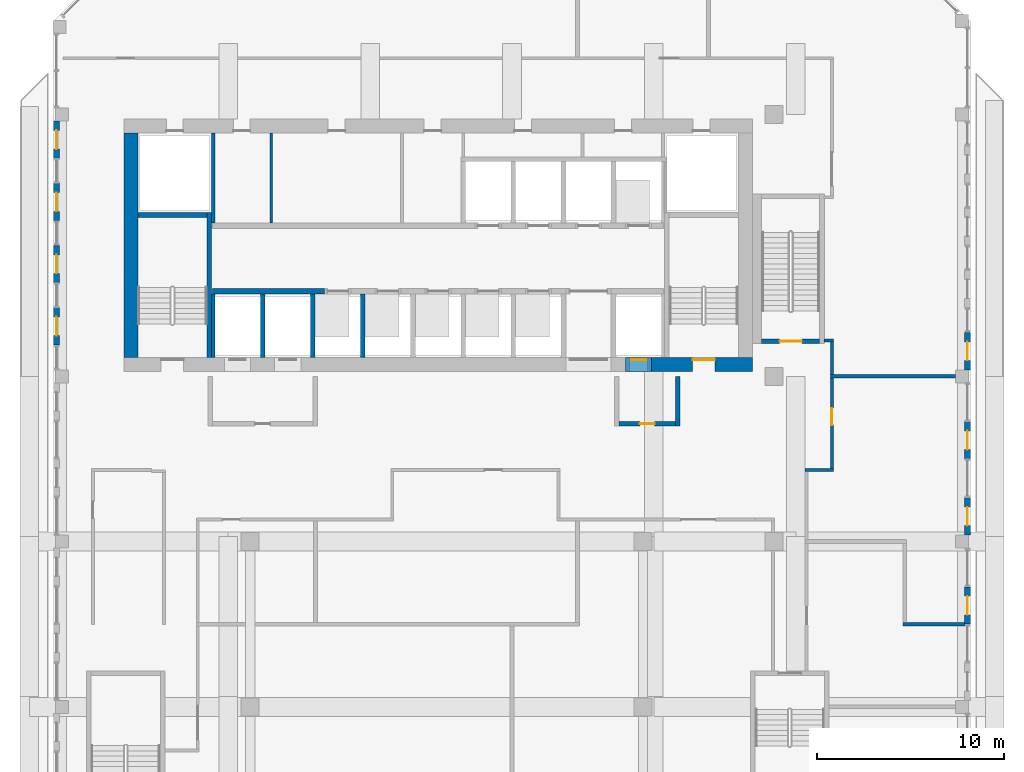
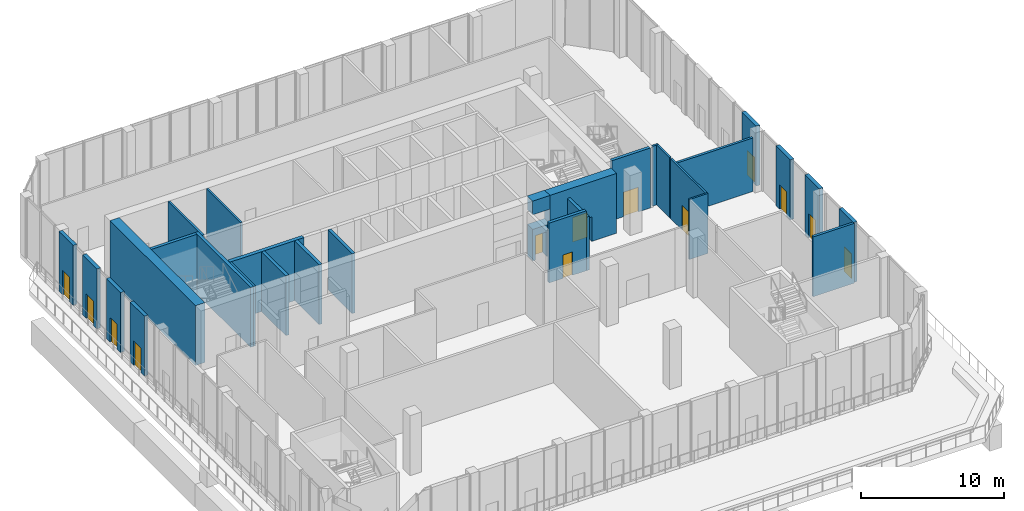
# One storey, part 11 of 18: 30 walls, 13 doors, 13 openings.
"""IFC4 building model written with IfcOpenShell, lengths in metres."""

from ifc_helpers import new_model, si_unit, direction, frame, frame_2d, origin, place, context, subcontext, project, spatial, rectangle, extrude, source, transform, mapped, material, layer, layer_set, type_object, element, fill, save


model = new_model("IFC4")

# Units and contexts
model_context = context("Model", 3, precision=1e-05, world=origin(), true_north=direction((0.0, 1.0)))
body_context = subcontext(model_context, "Body", "Model", "MODEL_VIEW")
ifc_project = project(units=[si_unit("LENGTHUNIT", "METRE"), si_unit("AREAUNIT", "SQUARE_METRE"), si_unit("VOLUMEUNIT", "CUBIC_METRE"), si_unit("PLANEANGLEUNIT", "RADIAN"), si_unit("MASSUNIT", "GRAM", prefix="KILO")], contexts=[model_context])

# Site, building, storey
site_placement = place(None, origin())
site = spatial("IfcSite", under=ifc_project, at=site_placement, CompositionType="ELEMENT")
building_placement = place(site_placement, origin())
building = spatial("IfcBuilding", under=site, at=building_placement, Name="Kilnfold Tower and Market Hall", CompositionType="ELEMENT")
storey_placement = place(building_placement, frame((0.0, 0.0, 233.60009765625)))
storey = spatial("IfcBuildingStorey", under=building, at=storey_placement, Name="L56", CompositionType="ELEMENT", Elevation=233.60009765625)

# Wall, opening, door
ifc_material_1 = material(Name="Gypsum board on steel studs", Category="steel")
ifc_layer_1 = layer(ifc_material_1, 0.14990234375)
ifc_layer_set_1 = layer_set([ifc_layer_1], Name="Gypsum board on steel studs")
wall_type_1 = type_object("IfcWallType", Name="WALL CORRIDOR 150", PredefinedType="PARTITIONING", material=ifc_layer_set_1)
wall_1_placement = place(storey_placement, frame((22.10009765625, 3.074951171875, 0.0), z_axis=(0.0, 0.0, 1.0), x_axis=(0.0, 1.0, 0.0)))
wall_1 = element("IfcWall", 1, at=wall_1_placement, inside=storey, type_object=wall_type_1, Name="Partition LY34.18", PredefinedType="PARTITIONING", context=body_context, shape_type="SweptSolid", body=[
    extrude(rectangle(XDim=4.8349609375, YDim=0.14990234375, at=frame_2d((2.41748046875, 0.0))), origin(), (0.0, 0.0, 1.0), 5.119873046875),
])
opening_1_placement = place(wall_1_placement, frame((2.321044921875, 0.0, 0.0)))
opening_1 = element("IfcOpeningElement", 2, at=opening_1_placement, cuts=wall_1, Name="Opening D2", PredefinedType="OPENING", context=body_context, shape_type="SweptSolid", body=[
    extrude(rectangle(XDim=0.89990234375, YDim=2.10009765625, at=frame_2d((0.449951171875, 1.050048828125))), frame((0.0, 0.0849609375, 0.0), z_axis=(0.0, -1.0, 0.0), x_axis=(1.0, 0.0, 0.0)), (0.0, 0.0, 1.0), 0.169921875),
])
ifc_material_2 = material(Name="Timber veneer door leaf in steel frame", Category="steel")
door_type_1 = type_object("IfcDoorType", Name="DOOR ROOM 900 X2100", OperationType="NOTDEFINED", PredefinedType="DOOR", material=ifc_material_2)
door_1_placement = place(opening_1_placement, origin())
door_1 = element("IfcDoor", 3, at=door_1_placement, inside=storey, type_object=door_type_1, Name="Door D2", OperationType="SINGLE_SWING_RIGHT", OverallHeight=2.10009765625, OverallWidth=0.89990234375, PredefinedType="DOOR", context=body_context, shape_type="SweptSolid", body=[
    extrude(rectangle(XDim=0.89990234375, YDim=2.10009765625, at=frame_2d((0.449951171875, 1.050048828125))), frame((0.0, 0.02490234375, 0.0), z_axis=(0.0, -1.0, 0.0), x_axis=(1.0, 0.0, 0.0)), (0.0, 0.0, 1.0), 0.050048828125),
])
fill(opening_1, door_1)

# Walls
wall_2_placement = place(storey_placement, frame((20.675048828125, 3.0, 0.0), z_axis=(0.0, 0.0, 1.0), x_axis=(1.0, 0.0, 0.0)))
element("IfcWall", 4, at=wall_2_placement, inside=storey, type_object=wall_type_1, Name="Partition LY34.19", PredefinedType="PARTITIONING", context=body_context, shape_type="SweptSolid", body=[
    extrude(rectangle(XDim=1.5, YDim=0.14990234375, at=frame_2d((0.75, 0.0))), origin(), (0.0, 0.0, 1.0), 5.119873046875),
])
wall_3_placement = place(storey_placement, frame((22.175048828125, 9.925048828125, 0.0), z_axis=(0.0, 0.0, 1.0), x_axis=(-1.0, 0.0, 0.0)))
element("IfcWall", 5, at=wall_3_placement, inside=storey, type_object=wall_type_1, Name="Partition LY34.23", PredefinedType="PARTITIONING", context=body_context, shape_type="SweptSolid", body=[
    extrude(rectangle(XDim=0.4951171875, YDim=0.14990234375, at=frame_2d((0.24755859375, 0.0))), origin(), (0.0, 0.0, 1.0), 5.119873046875),
])
wall_4_placement = place(storey_placement, frame((22.10009765625, 8.090087890625, 0.0), z_axis=(0.0, 0.0, 1.0), x_axis=(0.0, 1.0, 0.0)))
element("IfcWall", 6, at=wall_4_placement, inside=storey, type_object=wall_type_1, Name="Partition LY34.24", PredefinedType="PARTITIONING", context=body_context, shape_type="SweptSolid", body=[
    extrude(rectangle(XDim=1.760009765625, YDim=0.14990234375, at=frame_2d((0.8798828125, 0.0))), origin(), (0.0, 0.0, 1.0), 5.119873046875),
])
ifc_material_3 = material(Name="Gypsum board on steel studs", Category="steel")
ifc_layer_2 = layer(ifc_material_3, 0.199951171875)
ifc_layer_set_2 = layer_set([ifc_layer_2], Name="Gypsum board on steel studs")
wall_type_2 = type_object("IfcWallType", Name="WALL PARTY 200", PredefinedType="PARTITIONING", material=ifc_layer_set_2)
wall_5_placement = place(storey_placement, frame((25.89990234375, -5.25, 0.0), z_axis=(0.0, 0.0, 1.0), x_axis=(1.0, 0.0, 0.0)))
element("IfcWall", 7, at=wall_5_placement, inside=storey, type_object=wall_type_2, Name="Partition LY34.33", PredefinedType="PARTITIONING", context=body_context, shape_type="SweptSolid", body=[
    extrude(rectangle(XDim=3.35009765625, YDim=0.199951171875, at=frame_2d((1.675048828125, 0.0))), origin(), (0.0, 0.0, 1.0), 5.119873046875),
])
wall_6_placement = place(storey_placement, frame((28.699951171875, 8.0, 0.0), z_axis=(0.0, 0.0, 1.0), x_axis=(-1.0, 0.0, 0.0)))
element("IfcWall", 8, at=wall_6_placement, inside=storey, type_object=wall_type_2, Name="Partition LY34.34", PredefinedType="PARTITIONING", context=body_context, shape_type="SweptSolid", body=[
    extrude(rectangle(XDim=6.6728515625, YDim=0.199951171875, at=frame_2d((3.33642578125, 0.0))), origin(), (0.0, 0.0, 1.0), 4.56982421875),
])

# Wall, opening, door
ifc_material_4 = material(Name="Concrete C60", Category="concrete")
ifc_layer_3 = layer(ifc_material_4, 0.75)
ifc_layer_set_3 = layer_set([ifc_layer_3], Name="Concrete C60")
wall_type_3 = type_object("IfcWallType", Name="CORE WALL 750 C60", PredefinedType="SHEAR", material=ifc_layer_set_3)
shared_shape_1 = source(origin(), body_context, "Body", "SweptSolid", [
    extrude(rectangle(XDim=5.380126953125, YDim=0.75, at=frame_2d((2.68994140625, 0.0))), origin(), (0.0, 0.0, 1.0), 5.119873046875),
])
wall_7_placement = place(storey_placement, frame((12.469970703125, 8.625, 0.0), z_axis=(0.0, 0.0, 1.0), x_axis=(1.0, 0.0, 0.0)))
wall_7 = element("IfcWall", 9, at=wall_7_placement, inside=storey, type_object=wall_type_3, Name="Core outer wall south", PredefinedType="SHEAR", context=body_context, shape_type="MappedRepresentation", body=[
    mapped(shared_shape_1, transform((0.0, 0.0, 0.0))),
])
opening_2_placement = place(wall_7_placement, frame((2.179931640625, 0.0, 0.0)))
opening_2 = element("IfcOpeningElement", 10, at=opening_2_placement, cuts=wall_7, Name="Opening SD1", PredefinedType="OPENING", context=body_context, shape_type="SweptSolid", body=[
    extrude(rectangle(XDim=1.199951171875, YDim=2.10009765625, at=frame_2d((0.60009765625, 1.050048828125))), frame((0.0, 0.385009765625, 0.0), z_axis=(0.0, -1.0, 0.0), x_axis=(1.0, 0.0, 0.0)), (0.0, 0.0, 1.0), 0.77001953125),
])
ifc_material_5 = material(Name="Steel door set with fire-resisting leaf", Category="steel")
door_type_2 = type_object("IfcDoorType", Name="STAIR FLOOR DOOR 1200X2100", OperationType="NOTDEFINED", PredefinedType="DOOR", material=ifc_material_5)
door_2_placement = place(opening_2_placement, origin())
door_2 = element("IfcDoor", 11, at=door_2_placement, inside=storey, type_object=door_type_2, Name="Exit stair ST2 door", OperationType="DOUBLE_DOOR_SINGLE_SWING", OverallHeight=2.10009765625, OverallWidth=1.199951171875, PredefinedType="DOOR", context=body_context, shape_type="SweptSolid", body=[
    extrude(rectangle(XDim=1.199951171875, YDim=2.10009765625, at=frame_2d((0.60009765625, 1.050048828125))), frame((0.0, 0.27978515625, 0.0), z_axis=(0.0, -1.0, 0.0), x_axis=(1.0, 0.0, 0.0)), (0.0, 0.0, 1.0), 0.050048828125),
])
fill(opening_2, door_2)

# Walls
shared_shape_2 = source(origin(), body_context, "Body", "SweptSolid", [
    extrude(rectangle(XDim=12.0, YDim=0.75, at=frame_2d((6.0, 0.0))), origin(), (0.0, 0.0, 1.0), 5.119873046875),
])
wall_8_placement = place(storey_placement, frame((-15.375, 9.0, 0.0), z_axis=(0.0, 0.0, 1.0), x_axis=(0.0, 1.0, 0.0)))
element("IfcWall", 12, at=wall_8_placement, inside=storey, type_object=wall_type_3, Name="Core outer wall west", PredefinedType="SHEAR", context=body_context, shape_type="MappedRepresentation", body=[
    mapped(shared_shape_2, transform((0.0, 0.0, 0.0))),
])
ifc_material_6 = material(Name="Concrete C60", Category="concrete")
ifc_layer_4 = layer(ifc_material_6, 0.25)
ifc_layer_set_4 = layer_set([ifc_layer_4], Name="Concrete C60")
wall_type_4 = type_object("IfcWallType", Name="CORE WALL 250 C60", PredefinedType="SHEAR", material=ifc_layer_set_4)
shared_shape_3 = source(origin(), body_context, "Body", "SweptSolid", [
    extrude(rectangle(XDim=7.75, YDim=0.25, at=frame_2d((3.875, 0.0))), origin(), (0.0, 0.0, 1.0), 5.119873046875),
])
wall_9_placement = place(storey_placement, frame((-11.175048828125, 9.0, 0.0), z_axis=(0.0, 0.0, 1.0), x_axis=(0.0, 1.0, 0.0)))
element("IfcWall", 13, at=wall_9_placement, inside=storey, type_object=wall_type_4, Name="Stair enclosure ST1", PredefinedType="SHEAR", context=body_context, shape_type="MappedRepresentation", body=[
    mapped(shared_shape_3, transform((0.0, 0.0, 0.0))),
])
shared_shape_4 = source(origin(), body_context, "Body", "SweptSolid", [
    extrude(rectangle(XDim=3.699951171875, YDim=0.25, at=frame_2d((1.85009765625, 0.0))), origin(), (0.0, 0.0, 1.0), 5.119873046875),
])
wall_10_placement = place(storey_placement, frame((-15.0, 16.625, 0.0), z_axis=(0.0, 0.0, 1.0), x_axis=(1.0, 0.0, 0.0)))
element("IfcWall", 14, at=wall_10_placement, inside=storey, type_object=wall_type_4, Name="Stair enclosure ST1", PredefinedType="SHEAR", context=body_context, shape_type="MappedRepresentation", body=[
    mapped(shared_shape_4, transform((0.0, 0.0, 0.0))),
])

# Wall, opening, door
shared_shape_5 = source(origin(), body_context, "Body", "SweptSolid", [
    extrude(rectangle(XDim=3.099853515625, YDim=0.25, at=frame_2d((1.5498046875, 0.0))), origin(), (0.0, 0.0, 1.0), 5.119873046875),
])
wall_11_placement = place(storey_placement, frame((18.35009765625, 9.875, 0.0), z_axis=(0.0, 0.0, 1.0), x_axis=(1.0, 0.0, 0.0)))
wall_11 = element("IfcWall", 15, at=wall_11_placement, inside=storey, type_object=wall_type_4, Name="Stair enclosure ST5", PredefinedType="SHEAR", context=body_context, shape_type="MappedRepresentation", body=[
    mapped(shared_shape_5, transform((0.0, 0.0, 0.0))),
])
opening_3_placement = place(wall_11_placement, frame((0.949951171875, 0.0, 0.0)))
opening_3 = element("IfcOpeningElement", 16, at=opening_3_placement, cuts=wall_11, Name="Opening SD1", PredefinedType="OPENING", context=body_context, shape_type="SweptSolid", body=[
    extrude(rectangle(XDim=1.199951171875, YDim=2.10009765625, at=frame_2d((0.60009765625, 1.050048828125))), frame((0.0, 0.135009765625, 0.0), z_axis=(0.0, -1.0, 0.0), x_axis=(1.0, 0.0, 0.0)), (0.0, 0.0, 1.0), 0.27001953125),
])
door_3_placement = place(opening_3_placement, origin())
door_3 = element("IfcDoor", 17, at=door_3_placement, inside=storey, type_object=door_type_2, Name="Exit stair ST5 door", OperationType="DOUBLE_DOOR_SINGLE_SWING", OverallHeight=2.10009765625, OverallWidth=1.199951171875, PredefinedType="DOOR", context=body_context, shape_type="SweptSolid", body=[
    extrude(rectangle(XDim=1.199951171875, YDim=2.10009765625, at=frame_2d((0.60009765625, 1.050048828125))), frame((0.0, 0.02490234375, 0.0), z_axis=(0.0, -1.0, 0.0), x_axis=(1.0, 0.0, 0.0)), (0.0, 0.0, 1.0), 0.050048828125),
])
fill(opening_3, door_3)

# Walls
ifc_material_7 = material(Name="Concrete C60", Category="concrete")
ifc_layer_5 = layer(ifc_material_7, 0.300048828125)
ifc_layer_set_5 = layer_set([ifc_layer_5], Name="Concrete C60")
wall_type_5 = type_object("IfcWallType", Name="CORE WALL 300 C60", PredefinedType="SHEAR", material=ifc_layer_set_5)
shared_shape_6 = source(origin(), body_context, "Body", "SweptSolid", [
    extrude(rectangle(XDim=6.0, YDim=0.300048828125, at=frame_2d((3.0, 0.0))), origin(), (0.0, 0.0, 1.0), 5.119873046875),
])
wall_12_placement = place(storey_placement, frame((-11.010009765625, 12.550048828125, 0.0), z_axis=(0.0, 0.0, 1.0), x_axis=(1.0, 0.0, 0.0)))
element("IfcWall", 18, at=wall_12_placement, inside=storey, type_object=wall_type_5, Name="Core spine wall", PredefinedType="SHEAR", context=body_context, shape_type="MappedRepresentation", body=[
    mapped(shared_shape_6, transform((0.0, 0.0, 0.0))),
])
shared_shape_7 = source(origin(), body_context, "Body", "SweptSolid", [
    extrude(rectangle(XDim=1.39990234375, YDim=0.75, at=frame_2d((0.699951171875, 0.0))), origin(), (0.0, 0.0, 1.0), 1.169921875),
])
wall_13_placement = place(storey_placement, frame((11.070068359375, 8.625, 3.949951171875), z_axis=(0.0, 0.0, 1.0), x_axis=(1.0, 0.0, 0.0)))
element("IfcWall", 19, at=wall_13_placement, inside=storey, type_object=wall_type_3, Name="Core wall over opening", PredefinedType="SHEAR", context=body_context, shape_type="MappedRepresentation", body=[
    mapped(shared_shape_7, transform((0.0, 0.0, 0.0))),
])

# Wall, opening, door
ifc_material_8 = material(Name="Precast concrete C50/60", Category="concrete")
ifc_layer_6 = layer(ifc_material_8, 0.300048828125)
ifc_layer_set_6 = layer_set([ifc_layer_6], Name="Precast concrete C50/60")
wall_type_6 = type_object("IfcWallType", Name="PRECAST WALL 300", PredefinedType="SOLIDWALL", material=ifc_layer_set_6)
shared_shape_8 = source(origin(), body_context, "Body", "SweptSolid", [
    extrude(rectangle(XDim=2.0, YDim=0.300048828125, at=frame_2d((1.0, 0.0))), origin(), (0.0, 0.0, 1.0), 5.119873046875),
])
wall_14_placement = place(storey_placement, frame((29.35009765625, -5.25, 0.0), z_axis=(0.0, 0.0, 1.0), x_axis=(0.0, 1.0, 0.0)))
wall_14 = element("IfcWall", 20, at=wall_14_placement, inside=storey, type_object=wall_type_6, Name="External wall L56 E", PredefinedType="SOLIDWALL", context=body_context, shape_type="MappedRepresentation", body=[
    mapped(shared_shape_8, transform((0.0, 0.0, 0.0))),
])
opening_4_placement = place(wall_14_placement, frame((0.5, 0.0, 0.0)))
opening_4 = element("IfcOpeningElement", 21, at=opening_4_placement, cuts=wall_14, Name="Opening BD1", PredefinedType="OPENING", context=body_context, shape_type="SweptSolid", body=[
    extrude(rectangle(XDim=1.0, YDim=2.10009765625, at=frame_2d((0.5, 1.050048828125))), frame((0.0, 0.16015625, 0.0), z_axis=(0.0, -1.0, 0.0), x_axis=(1.0, 0.0, 0.0)), (0.0, 0.0, 1.0), 0.320068359375),
])
ifc_material_9 = material(Name="Aluminium frame and double glazing", Category="aluminium")
door_type_3 = type_object("IfcDoorType", Name="BALCONY DOOR 1000X2100", OperationType="NOTDEFINED", PredefinedType="DOOR", material=ifc_material_9)
door_4_placement = place(opening_4_placement, origin())
door_4 = element("IfcDoor", 22, at=door_4_placement, inside=storey, type_object=door_type_3, Name="Balcony door BD1 L56 E-2", OperationType="SINGLE_SWING_RIGHT", OverallHeight=2.10009765625, OverallWidth=1.0, PredefinedType="DOOR", context=body_context, shape_type="SweptSolid", body=[
    extrude(rectangle(XDim=1.0, YDim=2.10009765625, at=frame_2d((0.5, 1.050048828125))), frame((0.0, 0.02490234375, 0.0), z_axis=(0.0, -1.0, 0.0), x_axis=(1.0, 0.0, 0.0)), (0.0, 0.0, 1.0), 0.050048828125),
])
fill(opening_4, door_4)

wall_15_placement = place(storey_placement, frame((29.35009765625, -0.4833984375, 0.0), z_axis=(0.0, 0.0, 1.0), x_axis=(0.0, 1.0, 0.0)))
wall_15 = element("IfcWall", 23, at=wall_15_placement, inside=storey, type_object=wall_type_6, Name="External wall L56 E", PredefinedType="SOLIDWALL", context=body_context, shape_type="MappedRepresentation", body=[
    mapped(shared_shape_8, transform((0.0, 0.0, 0.0))),
])
opening_5_placement = place(wall_15_placement, frame((0.5, 0.0, 0.0)))
opening_5 = element("IfcOpeningElement", 24, at=opening_5_placement, cuts=wall_15, Name="Opening BD1", PredefinedType="OPENING", context=body_context, shape_type="SweptSolid", body=[
    extrude(rectangle(XDim=1.0, YDim=2.10009765625, at=frame_2d((0.5, 1.050048828125))), frame((0.0, 0.16015625, 0.0), z_axis=(0.0, -1.0, 0.0), x_axis=(1.0, 0.0, 0.0)), (0.0, 0.0, 1.0), 0.320068359375),
])
door_5_placement = place(opening_5_placement, origin())
door_5 = element("IfcDoor", 25, at=door_5_placement, inside=storey, type_object=door_type_3, Name="Balcony door BD1 L56 E-1", OperationType="SINGLE_SWING_LEFT", OverallHeight=2.10009765625, OverallWidth=1.0, PredefinedType="DOOR", context=body_context, shape_type="SweptSolid", body=[
    extrude(rectangle(XDim=1.0, YDim=2.10009765625, at=frame_2d((0.5, 1.050048828125))), frame((0.0, 0.02490234375, 0.0), z_axis=(0.0, -1.0, 0.0), x_axis=(1.0, 0.0, 0.0)), (0.0, 0.0, 1.0), 0.050048828125),
])
fill(opening_5, door_5)

wall_16_placement = place(storey_placement, frame((29.35009765625, 3.583251953125, 0.0), z_axis=(0.0, 0.0, 1.0), x_axis=(0.0, 1.0, 0.0)))
wall_16 = element("IfcWall", 26, at=wall_16_placement, inside=storey, type_object=wall_type_6, Name="External wall L56 E", PredefinedType="SOLIDWALL", context=body_context, shape_type="MappedRepresentation", body=[
    mapped(shared_shape_8, transform((0.0, 0.0, 0.0))),
])
opening_6_placement = place(wall_16_placement, frame((0.5, 0.0, 0.0)))
opening_6 = element("IfcOpeningElement", 27, at=opening_6_placement, cuts=wall_16, Name="Opening BD1", PredefinedType="OPENING", context=body_context, shape_type="SweptSolid", body=[
    extrude(rectangle(XDim=1.0, YDim=2.10009765625, at=frame_2d((0.5, 1.050048828125))), frame((0.0, 0.16015625, 0.0), z_axis=(0.0, -1.0, 0.0), x_axis=(1.0, 0.0, 0.0)), (0.0, 0.0, 1.0), 0.320068359375),
])
door_6_placement = place(opening_6_placement, origin())
door_6 = element("IfcDoor", 28, at=door_6_placement, inside=storey, type_object=door_type_3, Name="Balcony door BD1 L56 E-2", OperationType="SINGLE_SWING_RIGHT", OverallHeight=2.10009765625, OverallWidth=1.0, PredefinedType="DOOR", context=body_context, shape_type="SweptSolid", body=[
    extrude(rectangle(XDim=1.0, YDim=2.10009765625, at=frame_2d((0.5, 1.050048828125))), frame((0.0, 0.02490234375, 0.0), z_axis=(0.0, -1.0, 0.0), x_axis=(1.0, 0.0, 0.0)), (0.0, 0.0, 1.0), 0.050048828125),
])
fill(opening_6, door_6)

wall_17_placement = place(storey_placement, frame((29.35009765625, 8.35009765625, 0.0), z_axis=(0.0, 0.0, 1.0), x_axis=(0.0, 1.0, 0.0)))
wall_17 = element("IfcWall", 29, at=wall_17_placement, inside=storey, type_object=wall_type_6, Name="External wall L56 E", PredefinedType="SOLIDWALL", context=body_context, shape_type="MappedRepresentation", body=[
    mapped(shared_shape_8, transform((0.0, 0.0, 0.0))),
])
opening_7_placement = place(wall_17_placement, frame((0.5, 0.0, 0.0)))
opening_7 = element("IfcOpeningElement", 30, at=opening_7_placement, cuts=wall_17, Name="Opening BD1", PredefinedType="OPENING", context=body_context, shape_type="SweptSolid", body=[
    extrude(rectangle(XDim=1.0, YDim=2.10009765625, at=frame_2d((0.5, 1.050048828125))), frame((0.0, 0.16015625, 0.0), z_axis=(0.0, -1.0, 0.0), x_axis=(1.0, 0.0, 0.0)), (0.0, 0.0, 1.0), 0.320068359375),
])
door_7_placement = place(opening_7_placement, origin())
door_7 = element("IfcDoor", 31, at=door_7_placement, inside=storey, type_object=door_type_3, Name="Balcony door BD1 L56 E-1", OperationType="SINGLE_SWING_LEFT", OverallHeight=2.10009765625, OverallWidth=1.0, PredefinedType="DOOR", context=body_context, shape_type="SweptSolid", body=[
    extrude(rectangle(XDim=1.0, YDim=2.10009765625, at=frame_2d((0.5, 1.050048828125))), frame((0.0, 0.02490234375, 0.0), z_axis=(0.0, -1.0, 0.0), x_axis=(1.0, 0.0, 0.0)), (0.0, 0.0, 1.0), 0.050048828125),
])
fill(opening_7, door_7)

wall_18_placement = place(storey_placement, frame((-19.35009765625, 21.64990234375, 0.0), z_axis=(0.0, 0.0, 1.0), x_axis=(0.0, -1.0, 0.0)))
wall_18 = element("IfcWall", 32, at=wall_18_placement, inside=storey, type_object=wall_type_6, Name="External wall L56 W", PredefinedType="SOLIDWALL", context=body_context, shape_type="MappedRepresentation", body=[
    mapped(shared_shape_8, transform((0.0, 0.0, 0.0))),
])
opening_8_placement = place(wall_18_placement, frame((0.5, 0.0, 0.0)))
opening_8 = element("IfcOpeningElement", 33, at=opening_8_placement, cuts=wall_18, Name="Opening BD1", PredefinedType="OPENING", context=body_context, shape_type="SweptSolid", body=[
    extrude(rectangle(XDim=1.0, YDim=2.10009765625, at=frame_2d((0.5, 1.050048828125))), frame((0.0, 0.16015625, 0.0), z_axis=(0.0, -1.0, 0.0), x_axis=(1.0, 0.0, 0.0)), (0.0, 0.0, 1.0), 0.320068359375),
])
door_8_placement = place(opening_8_placement, origin())
door_8 = element("IfcDoor", 34, at=door_8_placement, inside=storey, type_object=door_type_3, Name="Balcony door BD1 L56 W-1", OperationType="SINGLE_SWING_LEFT", OverallHeight=2.10009765625, OverallWidth=1.0, PredefinedType="DOOR", context=body_context, shape_type="SweptSolid", body=[
    extrude(rectangle(XDim=1.0, YDim=2.10009765625, at=frame_2d((0.5, 1.050048828125))), frame((0.0, 0.02490234375, 0.0), z_axis=(0.0, -1.0, 0.0), x_axis=(1.0, 0.0, 0.0)), (0.0, 0.0, 1.0), 0.050048828125),
])
fill(opening_8, door_8)

wall_19_placement = place(storey_placement, frame((-19.35009765625, 18.324951171875, 0.0), z_axis=(0.0, 0.0, 1.0), x_axis=(0.0, -1.0, 0.0)))
wall_19 = element("IfcWall", 35, at=wall_19_placement, inside=storey, type_object=wall_type_6, Name="External wall L56 W", PredefinedType="SOLIDWALL", context=body_context, shape_type="MappedRepresentation", body=[
    mapped(shared_shape_8, transform((0.0, 0.0, 0.0))),
])
opening_9_placement = place(wall_19_placement, frame((0.5, 0.0, 0.0)))
opening_9 = element("IfcOpeningElement", 36, at=opening_9_placement, cuts=wall_19, Name="Opening BD1", PredefinedType="OPENING", context=body_context, shape_type="SweptSolid", body=[
    extrude(rectangle(XDim=1.0, YDim=2.10009765625, at=frame_2d((0.5, 1.050048828125))), frame((0.0, 0.16015625, 0.0), z_axis=(0.0, -1.0, 0.0), x_axis=(1.0, 0.0, 0.0)), (0.0, 0.0, 1.0), 0.320068359375),
])
door_9_placement = place(opening_9_placement, origin())
door_9 = element("IfcDoor", 37, at=door_9_placement, inside=storey, type_object=door_type_3, Name="Balcony door BD1 L56 W-2", OperationType="SINGLE_SWING_RIGHT", OverallHeight=2.10009765625, OverallWidth=1.0, PredefinedType="DOOR", context=body_context, shape_type="SweptSolid", body=[
    extrude(rectangle(XDim=1.0, YDim=2.10009765625, at=frame_2d((0.5, 1.050048828125))), frame((0.0, 0.02490234375, 0.0), z_axis=(0.0, -1.0, 0.0), x_axis=(1.0, 0.0, 0.0)), (0.0, 0.0, 1.0), 0.050048828125),
])
fill(opening_9, door_9)

wall_20_placement = place(storey_placement, frame((-19.35009765625, 15.0, 0.0), z_axis=(0.0, 0.0, 1.0), x_axis=(0.0, -1.0, 0.0)))
wall_20 = element("IfcWall", 38, at=wall_20_placement, inside=storey, type_object=wall_type_6, Name="External wall L56 W", PredefinedType="SOLIDWALL", context=body_context, shape_type="MappedRepresentation", body=[
    mapped(shared_shape_8, transform((0.0, 0.0, 0.0))),
])
opening_10_placement = place(wall_20_placement, frame((0.5, 0.0, 0.0)))
opening_10 = element("IfcOpeningElement", 39, at=opening_10_placement, cuts=wall_20, Name="Opening BD1", PredefinedType="OPENING", context=body_context, shape_type="SweptSolid", body=[
    extrude(rectangle(XDim=1.0, YDim=2.10009765625, at=frame_2d((0.5, 1.050048828125))), frame((0.0, 0.16015625, 0.0), z_axis=(0.0, -1.0, 0.0), x_axis=(1.0, 0.0, 0.0)), (0.0, 0.0, 1.0), 0.320068359375),
])
door_10_placement = place(opening_10_placement, origin())
door_10 = element("IfcDoor", 40, at=door_10_placement, inside=storey, type_object=door_type_3, Name="Balcony door BD1 L56 W-3", OperationType="SINGLE_SWING_LEFT", OverallHeight=2.10009765625, OverallWidth=1.0, PredefinedType="DOOR", context=body_context, shape_type="SweptSolid", body=[
    extrude(rectangle(XDim=1.0, YDim=2.10009765625, at=frame_2d((0.5, 1.050048828125))), frame((0.0, 0.02490234375, 0.0), z_axis=(0.0, -1.0, 0.0), x_axis=(1.0, 0.0, 0.0)), (0.0, 0.0, 1.0), 0.050048828125),
])
fill(opening_10, door_10)

wall_21_placement = place(storey_placement, frame((-19.35009765625, 11.675048828125, 0.0), z_axis=(0.0, 0.0, 1.0), x_axis=(0.0, -1.0, 0.0)))
wall_21 = element("IfcWall", 41, at=wall_21_placement, inside=storey, type_object=wall_type_6, Name="External wall L56 W", PredefinedType="SOLIDWALL", context=body_context, shape_type="MappedRepresentation", body=[
    mapped(shared_shape_8, transform((0.0, 0.0, 0.0))),
])
opening_11_placement = place(wall_21_placement, frame((0.5, 0.0, 0.0)))
opening_11 = element("IfcOpeningElement", 42, at=opening_11_placement, cuts=wall_21, Name="Opening BD1", PredefinedType="OPENING", context=body_context, shape_type="SweptSolid", body=[
    extrude(rectangle(XDim=1.0, YDim=2.10009765625, at=frame_2d((0.5, 1.050048828125))), frame((0.0, 0.16015625, 0.0), z_axis=(0.0, -1.0, 0.0), x_axis=(1.0, 0.0, 0.0)), (0.0, 0.0, 1.0), 0.320068359375),
])
door_11_placement = place(opening_11_placement, origin())
door_11 = element("IfcDoor", 43, at=door_11_placement, inside=storey, type_object=door_type_3, Name="Balcony door BD1 L56 W-4", OperationType="SINGLE_SWING_RIGHT", OverallHeight=2.10009765625, OverallWidth=1.0, PredefinedType="DOOR", context=body_context, shape_type="SweptSolid", body=[
    extrude(rectangle(XDim=1.0, YDim=2.10009765625, at=frame_2d((0.5, 1.050048828125))), frame((0.0, 0.02490234375, 0.0), z_axis=(0.0, -1.0, 0.0), x_axis=(1.0, 0.0, 0.0)), (0.0, 0.0, 1.0), 0.050048828125),
])
fill(opening_11, door_11)

ifc_material_10 = material(Name="Gypsum shaft wall system")
ifc_layer_7 = layer(ifc_material_10, 0.75)
ifc_layer_set_7 = layer_set([ifc_layer_7], Name="Gypsum shaft wall system")
wall_type_7 = type_object("IfcWallType", Name="LOBBY WALL 750", PredefinedType="PARTITIONING", material=ifc_layer_set_7)
shared_shape_9 = source(origin(), body_context, "Body", "SweptSolid", [
    extrude(rectangle(XDim=1.39990234375, YDim=0.75, at=frame_2d((0.699951171875, 0.0))), origin(), (0.0, 0.0, 1.0), 2.699951171875),
])
wall_22_placement = place(storey_placement, frame((11.070068359375, 8.625, 0.0), z_axis=(0.0, 0.0, 1.0), x_axis=(1.0, 0.0, 0.0)))
wall_22 = element("IfcWall", 44, at=wall_22_placement, inside=storey, type_object=wall_type_7, Name="Core wall infill", PredefinedType="PARTITIONING", context=body_context, shape_type="MappedRepresentation", body=[
    mapped(shared_shape_9, transform((0.0, 0.0, 0.0))),
])
opening_12_placement = place(wall_22_placement, frame((0.25, 0.0, 0.0)))
opening_12 = element("IfcOpeningElement", 45, at=opening_12_placement, cuts=wall_22, Name="Opening LD1", PredefinedType="OPENING", context=body_context, shape_type="SweptSolid", body=[
    extrude(rectangle(XDim=0.89990234375, YDim=2.10009765625, at=frame_2d((0.449951171875, 1.050048828125))), frame((0.0, 0.385009765625, 0.0), z_axis=(0.0, -1.0, 0.0), x_axis=(1.0, 0.0, 0.0)), (0.0, 0.0, 1.0), 0.77001953125),
])
ifc_material_11 = material(Name="Steel door set with fire-resisting leaf", Category="steel")
door_type_4 = type_object("IfcDoorType", Name="FIREFIGHTING LANDING DOOR 900X2100", OperationType="NOTDEFINED", PredefinedType="DOOR", material=ifc_material_11)
door_12_placement = place(opening_12_placement, origin())
door_12 = element("IfcDoor", 46, at=door_12_placement, inside=storey, type_object=door_type_4, Name="Landing door FF3", OperationType="SLIDING_TO_LEFT", OverallHeight=2.10009765625, OverallWidth=0.89990234375, PredefinedType="DOOR", context=body_context, shape_type="SweptSolid", body=[
    extrude(rectangle(XDim=0.89990234375, YDim=2.10009765625, at=frame_2d((0.449951171875, 1.050048828125))), frame((0.0, 0.27978515625, 0.0), z_axis=(0.0, -1.0, 0.0), x_axis=(1.0, 0.0, 0.0)), (0.0, 0.0, 1.0), 0.050048828125),
])
fill(opening_12, door_12)

# Wall
ifc_material_12 = material(Name="Gypsum shaft wall system")
ifc_layer_8 = layer(ifc_material_12, 0.25)
ifc_layer_set_8 = layer_set([ifc_layer_8], Name="Gypsum shaft wall system")
wall_type_8 = type_object("IfcWallType", Name="LOBBY WALL 250", PredefinedType="PARTITIONING", material=ifc_layer_set_8)
shared_shape_10 = source(origin(), body_context, "Body", "SweptSolid", [
    extrude(rectangle(XDim=2.64990234375, YDim=0.25, at=frame_2d((1.324951171875, 0.0))), origin(), (0.0, 0.0, 1.0), 4.56982421875),
])
wall_23_placement = place(storey_placement, frame((13.85498046875, 5.35009765625, 0.0), z_axis=(0.0, 0.0, 1.0), x_axis=(0.0, 1.0, 0.0)))
element("IfcWall", 47, at=wall_23_placement, inside=storey, type_object=wall_type_8, Name="Firefighting lobby wall", PredefinedType="PARTITIONING", context=body_context, shape_type="MappedRepresentation", body=[
    mapped(shared_shape_10, transform((0.0, 0.0, 0.0))),
])

# Wall, opening, door
shared_shape_11 = source(origin(), body_context, "Body", "SweptSolid", [
    extrude(rectangle(XDim=3.0, YDim=0.25, at=frame_2d((1.5, 0.0))), origin(), (0.0, 0.0, 1.0), 5.119873046875),
])
wall_24_placement = place(storey_placement, frame((10.72998046875, 5.47509765625, 0.0), z_axis=(0.0, 0.0, 1.0), x_axis=(1.0, 0.0, 0.0)))
wall_24 = element("IfcWall", 48, at=wall_24_placement, inside=storey, type_object=wall_type_8, Name="Firefighting lobby wall", PredefinedType="PARTITIONING", context=body_context, shape_type="MappedRepresentation", body=[
    mapped(shared_shape_11, transform((0.0, 0.0, 0.0))),
])
opening_13_placement = place(wall_24_placement, frame((1.10009765625, 0.0, 0.0)))
opening_13 = element("IfcOpeningElement", 49, at=opening_13_placement, cuts=wall_24, Name="Opening VD1", PredefinedType="OPENING", context=body_context, shape_type="SweptSolid", body=[
    extrude(rectangle(XDim=0.800048828125, YDim=2.0, at=frame_2d((0.39990234375, 1.0))), frame((0.0, 0.135009765625, 0.0), z_axis=(0.0, -1.0, 0.0), x_axis=(1.0, 0.0, 0.0)), (0.0, 0.0, 1.0), 0.27001953125),
])
ifc_material_13 = material(Name="Steel door set with fire-resisting leaf", Category="steel")
door_type_5 = type_object("IfcDoorType", Name="FIREFIGHTING LOBBY DOOR 800X2000", OperationType="NOTDEFINED", PredefinedType="DOOR", material=ifc_material_13)
door_13_placement = place(opening_13_placement, origin())
door_13 = element("IfcDoor", 50, at=door_13_placement, inside=storey, type_object=door_type_5, Name="Firefighting lobby door", OperationType="SINGLE_SWING_RIGHT", OverallHeight=2.0, OverallWidth=0.800048828125, PredefinedType="DOOR", context=body_context, shape_type="SweptSolid", body=[
    extrude(rectangle(XDim=0.800048828125, YDim=2.0, at=frame_2d((0.39990234375, 1.0))), frame((0.0, 0.02490234375, 0.0), z_axis=(0.0, -1.0, 0.0), x_axis=(1.0, 0.0, 0.0)), (0.0, 0.0, 1.0), 0.050048828125),
])
fill(opening_13, door_13)

# Walls
ifc_material_14 = material(Name="Gypsum shaft wall system")
ifc_layer_9 = layer(ifc_material_14, 0.1650390625)
ifc_layer_set_9 = layer_set([ifc_layer_9], Name="Gypsum shaft wall system")
wall_type_9 = type_object("IfcWallType", Name="SHAFT WALL 165", PredefinedType="PARTITIONING", material=ifc_layer_set_9)
shared_shape_12 = source(origin(), body_context, "Body", "SweptSolid", [
    extrude(rectangle(XDim=4.800048828125, YDim=0.1650390625, at=frame_2d((2.39990234375, 0.0))), origin(), (0.0, 0.0, 1.0), 5.119873046875),
])
wall_25_placement = place(storey_placement, frame((-10.967529296875, 16.199951171875, 0.0), z_axis=(0.0, 0.0, 1.0), x_axis=(0.0, 1.0, 0.0)))
element("IfcWall", 51, at=wall_25_placement, inside=storey, type_object=wall_type_9, Name="Lift shaft wall", PredefinedType="PARTITIONING", context=body_context, shape_type="MappedRepresentation", body=[
    mapped(shared_shape_12, transform((0.0, 0.0, 0.0))),
])
ifc_material_15 = material(Name="Gypsum shaft wall system")
ifc_layer_10 = layer(ifc_material_15, 0.25)
ifc_layer_set_10 = layer_set([ifc_layer_10], Name="Gypsum shaft wall system")
wall_type_10 = type_object("IfcWallType", Name="SHAFT WALL 250", PredefinedType="PARTITIONING", material=ifc_layer_set_10)
shared_shape_13 = source(origin(), body_context, "Body", "SweptSolid", [
    extrude(rectangle(XDim=3.39990234375, YDim=0.25, at=frame_2d((1.699951171875, 0.0))), origin(), (0.0, 0.0, 1.0), 5.119873046875),
])
for number, where, z_axis, x_axis, name in (
    (52, (-2.969970703125, 9.0, 0.0), (0.0, 0.0, 1.0), (0.0, 1.0, 0.0), "Lift shaft wall"),
    (53, (-5.64990234375, 9.0, 0.0), (0.0, 0.0, 1.0), (0.0, 1.0, 0.0), "Lift shaft wall"),
    (54, (-8.330078125, 9.0, 0.0), (0.0, 0.0, 1.0), (0.0, 1.0, 0.0), "Lift shaft wall"),
):
    element("IfcWall", number, at=place(storey_placement, frame(where, z_axis=z_axis, x_axis=x_axis)), inside=storey, type_object=wall_type_10, Name=name, PredefinedType="PARTITIONING", context=body_context, shape_type="MappedRepresentation", body=[
        mapped(shared_shape_13, transform((0.0, 0.0, 0.0))),
    ])
shared_shape_14 = source(origin(), body_context, "Body", "SweptSolid", [
    extrude(rectangle(XDim=3.39990234375, YDim=0.1650390625, at=frame_2d((1.699951171875, 0.0))), origin(), (0.0, 0.0, 1.0), 5.119873046875),
])
wall_26_placement = place(storey_placement, frame((-10.967529296875, 9.0, 0.0), z_axis=(0.0, 0.0, 1.0), x_axis=(0.0, 1.0, 0.0)))
element("IfcWall", 55, at=wall_26_placement, inside=storey, type_object=wall_type_9, Name="Lift shaft wall", PredefinedType="PARTITIONING", context=body_context, shape_type="MappedRepresentation", body=[
    mapped(shared_shape_14, transform((0.0, 0.0, 0.0))),
])
ifc_material_16 = material(Name="Gypsum shaft wall system")
ifc_layer_11 = layer(ifc_material_16, 0.14990234375)
ifc_layer_set_11 = layer_set([ifc_layer_11], Name="Gypsum shaft wall system")
wall_type_11 = type_object("IfcWallType", Name="ROOM WALL 150", PredefinedType="PARTITIONING", material=ifc_layer_set_11)
shared_shape_15 = source(origin(), body_context, "Body", "SweptSolid", [
    extrude(rectangle(XDim=4.800048828125, YDim=0.14990234375, at=frame_2d((2.39990234375, 0.0))), origin(), (0.0, 0.0, 1.0), 5.119873046875),
])
wall_27_placement = place(storey_placement, frame((-7.87451171875, 16.199951171875, 0.0), z_axis=(0.0, 0.0, 1.0), x_axis=(0.0, 1.0, 0.0)))
element("IfcWall", 56, at=wall_27_placement, inside=storey, type_object=wall_type_11, Name="Core room wall", PredefinedType="PARTITIONING", context=body_context, shape_type="MappedRepresentation", body=[
    mapped(shared_shape_15, transform((0.0, 0.0, 0.0))),
])

save(model, "model.ifc")
